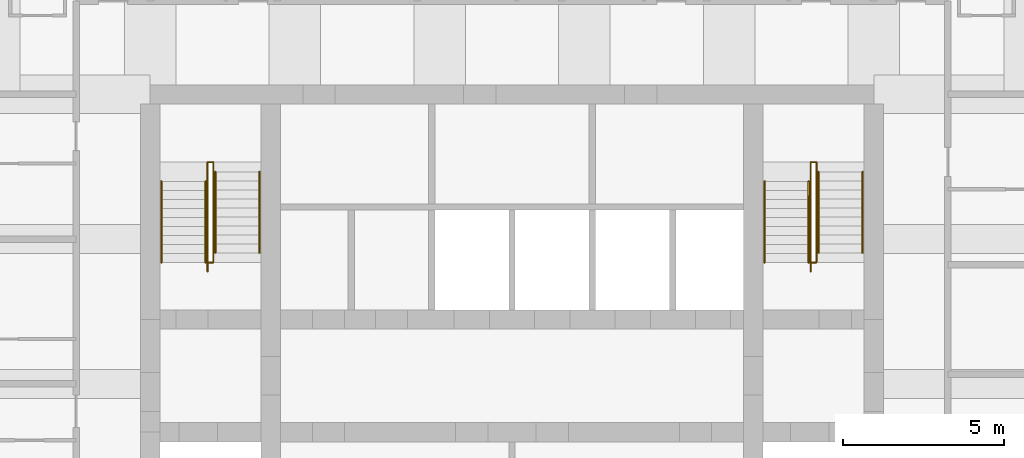
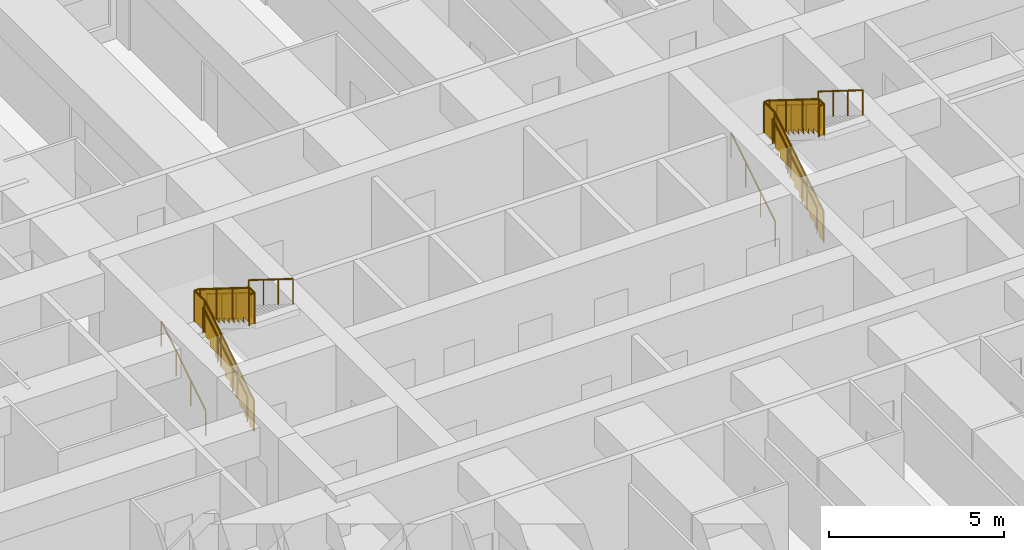
# One storey, part 8 of 8: 12 railings.
"""IFC4 building model written with IfcOpenShell, lengths in metres."""

from ifc_helpers import new_model, si_unit, direction, frame, origin, origin_2d, place, context, subcontext, project, spatial, polyline, circle, outline, extrude, material, type_object, element, save


model = new_model("IFC4")

# Units and contexts
model_context = context("Model", 3, precision=1e-05, world=origin(), true_north=direction((0.0, 1.0)))
body_context = subcontext(model_context, "Body", "Model", "MODEL_VIEW")
ifc_project = project(units=[si_unit("LENGTHUNIT", "METRE"), si_unit("AREAUNIT", "SQUARE_METRE"), si_unit("VOLUMEUNIT", "CUBIC_METRE"), si_unit("PLANEANGLEUNIT", "RADIAN"), si_unit("MASSUNIT", "GRAM", prefix="KILO")], contexts=[model_context])

# Site, building, storey
site_placement = place(None, origin())
site = spatial("IfcSite", under=ifc_project, at=site_placement, CompositionType="ELEMENT")
building_placement = place(site_placement, origin())
building = spatial("IfcBuilding", under=site, at=building_placement, Name="Kilele Tower Hotel", CompositionType="ELEMENT")
storey_placement = place(building_placement, frame((0.0, 0.0, 176.39990234375)))
storey = spatial("IfcBuildingStorey", under=building, at=storey_placement, Name="L45", CompositionType="ELEMENT", Elevation=176.39990234375)

# Railings
ifc_material_1 = material(Name="Steel handrail", Category="steel")
railing_type_1 = type_object("IfcRailingType", Name="Handrail 900", PredefinedType="HANDRAIL", material=ifc_material_1)
for number, where, name in (
    (1, (13.85009765625, 21.77490234375, 0.175048828125), "Handrail ST1 flight 1"),
    (2, (15.22509765625, 21.77490234375, 0.175048828125), "Handrail ST1 flight 1"),
):
    element("IfcRailing", number, at=place(storey_placement, frame(where)), inside=storey, type_object=railing_type_1, Name=name, PredefinedType="HANDRAIL", context=body_context, shape_type="SweptSolid", body=[
        extrude(circle(Radius=0.02490234375, at=origin_2d()), frame((0.0, 0.0, 0.875), z_axis=(0.0, 0.848007534815, 0.529984170421), x_axis=(-1.0, 0.0, 0.0)), (0.0, 0.0, 1.0), 2.9716796875),
        extrude(circle(Radius=0.02001953125, at=origin_2d()), origin(), (0.0, 0.0, 1.0), 0.849853515625),
        extrude(circle(Radius=0.02001953125, at=origin_2d()), frame((0.0, 0.840087890625, 0.52490234375)), (0.0, 0.0, 1.0), 0.849853515625),
        extrude(circle(Radius=0.02001953125, at=origin_2d()), frame((0.0, 1.679931640625, 1.050048828125)), (0.0, 0.0, 1.0), 0.849853515625),
        extrude(circle(Radius=0.02001953125, at=origin_2d()), frame((0.0, 2.52001953125, 1.574951171875)), (0.0, 0.0, 1.0), 0.849853515625),
    ])
for number, where, name in (
    (3, (15.52490234375, 24.594970703125, 1.925048828125), "Handrail ST1 flight 2"),
    (4, (16.89990234375, 24.594970703125, 1.925048828125), "Handrail ST1 flight 2"),
):
    element("IfcRailing", number, at=place(storey_placement, frame(where)), inside=storey, type_object=railing_type_1, Name=name, PredefinedType="HANDRAIL", context=body_context, shape_type="SweptSolid", body=[
        extrude(circle(Radius=0.02490234375, at=origin_2d()), frame((0.0, 0.0, 0.875), z_axis=(0.0, -0.848007534815, 0.529984170421), x_axis=(1.0, 0.0, 0.0)), (0.0, 0.0, 1.0), 2.9716796875),
        extrude(circle(Radius=0.02001953125, at=origin_2d()), origin(), (0.0, 0.0, 1.0), 0.849853515625),
        extrude(circle(Radius=0.02001953125, at=origin_2d()), frame((0.0, -0.840087890625, 0.52490234375)), (0.0, 0.0, 1.0), 0.849853515625),
        extrude(circle(Radius=0.02001953125, at=origin_2d()), frame((0.0, -1.679931640625, 1.050048828125)), (0.0, 0.0, 1.0), 0.849853515625),
        extrude(circle(Radius=0.02001953125, at=origin_2d()), frame((0.0, -2.52001953125, 1.574951171875)), (0.0, 0.0, 1.0), 0.849853515625),
    ])
for number, where, name in (
    (5, (32.60009765625, 21.77490234375, 0.175048828125), "Handrail ST2 flight 1"),
    (6, (33.97509765625, 21.77490234375, 0.175048828125), "Handrail ST2 flight 1"),
):
    element("IfcRailing", number, at=place(storey_placement, frame(where)), inside=storey, type_object=railing_type_1, Name=name, PredefinedType="HANDRAIL", context=body_context, shape_type="SweptSolid", body=[
        extrude(circle(Radius=0.02490234375, at=origin_2d()), frame((0.0, 0.0, 0.875), z_axis=(0.0, 0.848007534815, 0.529984170421), x_axis=(-1.0, 0.0, 0.0)), (0.0, 0.0, 1.0), 2.9716796875),
        extrude(circle(Radius=0.02001953125, at=origin_2d()), origin(), (0.0, 0.0, 1.0), 0.849853515625),
        extrude(circle(Radius=0.02001953125, at=origin_2d()), frame((0.0, 0.840087890625, 0.52490234375)), (0.0, 0.0, 1.0), 0.849853515625),
        extrude(circle(Radius=0.02001953125, at=origin_2d()), frame((0.0, 1.679931640625, 1.050048828125)), (0.0, 0.0, 1.0), 0.849853515625),
        extrude(circle(Radius=0.02001953125, at=origin_2d()), frame((0.0, 2.52001953125, 1.574951171875)), (0.0, 0.0, 1.0), 0.849853515625),
    ])
for number, where, name in (
    (7, (34.27490234375, 24.594970703125, 1.925048828125), "Handrail ST2 flight 2"),
    (8, (35.64990234375, 24.594970703125, 1.925048828125), "Handrail ST2 flight 2"),
):
    element("IfcRailing", number, at=place(storey_placement, frame(where)), inside=storey, type_object=railing_type_1, Name=name, PredefinedType="HANDRAIL", context=body_context, shape_type="SweptSolid", body=[
        extrude(circle(Radius=0.02490234375, at=origin_2d()), frame((0.0, 0.0, 0.875), z_axis=(0.0, -0.848007534815, 0.529984170421), x_axis=(1.0, 0.0, 0.0)), (0.0, 0.0, 1.0), 2.9716796875),
        extrude(circle(Radius=0.02001953125, at=origin_2d()), origin(), (0.0, 0.0, 1.0), 0.849853515625),
        extrude(circle(Radius=0.02001953125, at=origin_2d()), frame((0.0, -0.840087890625, 0.52490234375)), (0.0, 0.0, 1.0), 0.849853515625),
        extrude(circle(Radius=0.02001953125, at=origin_2d()), frame((0.0, -1.679931640625, 1.050048828125)), (0.0, 0.0, 1.0), 0.849853515625),
        extrude(circle(Radius=0.02001953125, at=origin_2d()), frame((0.0, -2.52001953125, 1.574951171875)), (0.0, 0.0, 1.0), 0.849853515625),
    ])
ifc_material_2 = material(Name="Steel guard", Category="steel")
railing_type_2 = type_object("IfcRailingType", Name="Stair guard 1100", PredefinedType="GUARDRAIL", material=ifc_material_2)
railing_1_placement = place(storey_placement, frame((15.284912109375, 21.4951171875, 0.0)))
element("IfcRailing", 9, at=railing_1_placement, inside=storey, type_object=railing_type_2, Name="Stair well guard ST1 flight 1", PredefinedType="GUARDRAIL", context=body_context, shape_type="SweptSolid", body=[
    extrude(circle(Radius=0.02490234375, at=origin_2d()), frame((0.0, 0.0, 1.0751953125), z_axis=(0.0, 0.847981687118, 0.530025526095), x_axis=(-1.0, 0.0, 0.0)), (0.0, 0.0, 1.0), 3.3017578125),
    extrude(circle(Radius=0.02490234375, at=origin_2d()), frame((0.0, 2.7998046875, 2.8251953125), z_axis=(0.0, 1.0, 0.0), x_axis=(-1.0, 0.0, 0.0)), (0.0, 0.0, 1.0), 0.60009765625),
    extrude(circle(Radius=0.02490234375, at=origin_2d()), frame((0.0, 3.39990234375, 2.8251953125), z_axis=(1.0, 0.0, 0.0), x_axis=(0.0, 1.0, 0.0)), (0.0, 0.0, 1.0), 0.18017578125),
    extrude(circle(Radius=0.02490234375, at=origin_2d()), origin(), (0.0, 0.0, 1.0), 1.050048828125),
    extrude(circle(Radius=0.02490234375, at=origin_2d()), frame((0.0, 0.933349609375, 0.583251953125)), (0.0, 0.0, 1.0), 1.050048828125),
    extrude(circle(Radius=0.02490234375, at=origin_2d()), frame((0.0, 1.866455078125, 1.166748046875)), (0.0, 0.0, 1.0), 1.050048828125),
    extrude(circle(Radius=0.02490234375, at=origin_2d()), frame((0.0, 2.7998046875, 1.75)), (0.0, 0.0, 1.0), 1.050048828125),
    extrude(circle(Radius=0.02490234375, at=origin_2d()), frame((0.0, 3.39990234375, 1.75)), (0.0, 0.0, 1.0), 1.050048828125),
    extrude(circle(Radius=0.02490234375, at=origin_2d()), frame((0.18017578125, 3.39990234375, 1.75)), (0.0, 0.0, 1.0), 1.050048828125),
    extrude(outline(polyline([(0.012451171875, 0.030029296875), (0.25, 0.030029296875), (0.25, 0.205078125), (0.530029296875, 0.205078125), (0.530029296875, 0.380126953125), (0.809814453125, 0.380126953125), (0.809814453125, 0.554931640625), (1.08984375, 0.554931640625), (1.08984375, 0.72998046875), (1.369873046875, 0.72998046875), (1.369873046875, 0.905029296875), (1.64990234375, 0.905029296875), (1.64990234375, 1.080078125), (1.929931640625, 1.080078125), (1.929931640625, 1.255126953125), (2.209716796875, 1.255126953125), (2.209716796875, 1.429931640625), (2.48974609375, 1.429931640625), (2.48974609375, 1.60498046875), (2.769775390625, 1.60498046875), (2.769775390625, 1.780029296875), (2.787353515625, 1.780029296875), (2.787353515625, 2.787841796875), (0.012451171875, 1.053466796875), (0.012451171875, 0.030029296875)])), frame((-0.005859375, 0.0, 0.0), z_axis=(1.0, 0.0, 0.0), x_axis=(0.0, 1.0, 0.0)), (0.0, 0.0, 1.0), 0.011962890625),
    extrude(outline(polyline([(0.012451171875, 0.030029296875), (0.587646484375, 0.030029296875), (0.587646484375, 1.050048828125), (0.012451171875, 1.050048828125), (0.012451171875, 0.030029296875)])), frame((-0.005859375, 2.7998046875, 1.75), z_axis=(1.0, 0.0, 0.0), x_axis=(0.0, 1.0, 0.0)), (0.0, 0.0, 1.0), 0.011962890625),
    extrude(outline(polyline([(0.012451171875, 0.030029296875), (0.18017578125, 0.030029296875), (0.18017578125, 1.050048828125), (0.012451171875, 1.050048828125), (0.012451171875, 0.030029296875)])), frame((0.0, 3.40576171875, 1.75), z_axis=(0.0, -1.0, 0.0), x_axis=(1.0, 0.0, 0.0)), (0.0, 0.0, 1.0), 0.011962890625),
])
railing_2_placement = place(storey_placement, frame((15.465087890625, 24.89501953125, 1.75)))
element("IfcRailing", 10, at=railing_2_placement, inside=storey, type_object=railing_type_2, Name="Stair well guard ST1 flight 2", PredefinedType="GUARDRAIL", context=body_context, shape_type="SweptSolid", body=[
    extrude(circle(Radius=0.02490234375, at=origin_2d()), frame((0.0, 0.0, 1.0751953125), z_axis=(0.0, -1.0, 0.0), x_axis=(1.0, 0.0, 0.0)), (0.0, 0.0, 1.0), 0.02001953125),
    extrude(circle(Radius=0.02490234375, at=origin_2d()), frame((0.0, -0.02001953125, 1.0751953125), z_axis=(0.0, -0.848002457836, 0.529992293815), x_axis=(1.0, 0.0, 0.0)), (0.0, 0.0, 1.0), 3.302001953125),
    extrude(circle(Radius=0.02490234375, at=origin_2d()), frame((0.0, -2.820068359375, 2.8251953125), z_axis=(0.0, -1.0, 0.0), x_axis=(1.0, 0.0, 0.0)), (0.0, 0.0, 1.0), 0.300048828125),
    extrude(circle(Radius=0.02490234375, at=origin_2d()), frame((0.0, -3.1201171875, 2.8251953125), z_axis=(-1.0, 0.0, 0.0), x_axis=(0.0, -1.0, 0.0)), (0.0, 0.0, 1.0), 0.18017578125),
    extrude(circle(Radius=0.02490234375, at=origin_2d()), origin(), (0.0, 0.0, 1.0), 1.050048828125),
    extrude(circle(Radius=0.02490234375, at=origin_2d()), frame((0.0, -0.02001953125, 0.0)), (0.0, 0.0, 1.0), 1.050048828125),
    extrude(circle(Radius=0.02490234375, at=origin_2d()), frame((0.0, -0.953369140625, 0.583251953125)), (0.0, 0.0, 1.0), 1.050048828125),
    extrude(circle(Radius=0.02490234375, at=origin_2d()), frame((0.0, -1.88671875, 1.166748046875)), (0.0, 0.0, 1.0), 1.050048828125),
    extrude(circle(Radius=0.02490234375, at=origin_2d()), frame((0.0, -2.820068359375, 1.75)), (0.0, 0.0, 1.0), 1.050048828125),
    extrude(circle(Radius=0.02490234375, at=origin_2d()), frame((0.0, -3.1201171875, 1.75)), (0.0, 0.0, 1.0), 1.050048828125),
    extrude(circle(Radius=0.02490234375, at=origin_2d()), frame((-0.18017578125, -3.1201171875, 1.75)), (0.0, 0.0, 1.0), 1.050048828125),
    extrude(outline(polyline([(0.012451171875, 0.030029296875), (0.25, 0.030029296875), (0.25, 0.205078125), (0.530029296875, 0.205078125), (0.530029296875, 0.380126953125), (0.81005859375, 0.380126953125), (0.81005859375, 0.554931640625), (1.090087890625, 0.554931640625), (1.090087890625, 0.72998046875), (1.3701171875, 0.72998046875), (1.3701171875, 0.905029296875), (1.64990234375, 0.905029296875), (1.64990234375, 1.080078125), (1.929931640625, 1.080078125), (1.929931640625, 1.255126953125), (2.2099609375, 1.255126953125), (2.2099609375, 1.429931640625), (2.489990234375, 1.429931640625), (2.489990234375, 1.60498046875), (2.77001953125, 1.60498046875), (2.77001953125, 1.780029296875), (2.78759765625, 1.780029296875), (2.78759765625, 2.787841796875), (0.012451171875, 1.053466796875), (0.012451171875, 0.030029296875)])), frame((0.005859375, -0.02001953125, 0.0), z_axis=(-1.0, 0.0, 0.0), x_axis=(0.0, -1.0, 0.0)), (0.0, 0.0, 1.0), 0.011962890625),
    extrude(outline(polyline([(0.012451171875, 0.030029296875), (0.28759765625, 0.030029296875), (0.28759765625, 1.050048828125), (0.012451171875, 1.050048828125), (0.012451171875, 0.030029296875)])), frame((0.005859375, -2.820068359375, 1.75), z_axis=(-1.0, 0.0, 0.0), x_axis=(0.0, -1.0, 0.0)), (0.0, 0.0, 1.0), 0.011962890625),
    extrude(outline(polyline([(0.012451171875, 0.030029296875), (0.18017578125, 0.030029296875), (0.18017578125, 1.050048828125), (0.012451171875, 1.050048828125), (0.012451171875, 0.030029296875)])), frame((0.0, -3.1259765625, 1.75), z_axis=(0.0, 1.0, 0.0), x_axis=(-1.0, 0.0, 0.0)), (0.0, 0.0, 1.0), 0.011962890625),
])
railing_3_placement = place(storey_placement, frame((34.034912109375, 21.4951171875, 0.0)))
element("IfcRailing", 11, at=railing_3_placement, inside=storey, type_object=railing_type_2, Name="Stair well guard ST2 flight 1", PredefinedType="GUARDRAIL", context=body_context, shape_type="SweptSolid", body=[
    extrude(circle(Radius=0.02490234375, at=origin_2d()), frame((0.0, 0.0, 1.0751953125), z_axis=(0.0, 0.847981687118, 0.530025526095), x_axis=(-1.0, 0.0, 0.0)), (0.0, 0.0, 1.0), 3.3017578125),
    extrude(circle(Radius=0.02490234375, at=origin_2d()), frame((0.0, 2.7998046875, 2.8251953125), z_axis=(0.0, 1.0, 0.0), x_axis=(-1.0, 0.0, 0.0)), (0.0, 0.0, 1.0), 0.60009765625),
    extrude(circle(Radius=0.02490234375, at=origin_2d()), frame((0.0, 3.39990234375, 2.8251953125), z_axis=(1.0, 0.0, 0.0), x_axis=(0.0, 1.0, 0.0)), (0.0, 0.0, 1.0), 0.18017578125),
    extrude(circle(Radius=0.02490234375, at=origin_2d()), origin(), (0.0, 0.0, 1.0), 1.050048828125),
    extrude(circle(Radius=0.02490234375, at=origin_2d()), frame((0.0, 0.933349609375, 0.583251953125)), (0.0, 0.0, 1.0), 1.050048828125),
    extrude(circle(Radius=0.02490234375, at=origin_2d()), frame((0.0, 1.866455078125, 1.166748046875)), (0.0, 0.0, 1.0), 1.050048828125),
    extrude(circle(Radius=0.02490234375, at=origin_2d()), frame((0.0, 2.7998046875, 1.75)), (0.0, 0.0, 1.0), 1.050048828125),
    extrude(circle(Radius=0.02490234375, at=origin_2d()), frame((0.0, 3.39990234375, 1.75)), (0.0, 0.0, 1.0), 1.050048828125),
    extrude(circle(Radius=0.02490234375, at=origin_2d()), frame((0.18017578125, 3.39990234375, 1.75)), (0.0, 0.0, 1.0), 1.050048828125),
    extrude(outline(polyline([(0.012451171875, 0.030029296875), (0.25, 0.030029296875), (0.25, 0.205078125), (0.530029296875, 0.205078125), (0.530029296875, 0.380126953125), (0.809814453125, 0.380126953125), (0.809814453125, 0.554931640625), (1.08984375, 0.554931640625), (1.08984375, 0.72998046875), (1.369873046875, 0.72998046875), (1.369873046875, 0.905029296875), (1.64990234375, 0.905029296875), (1.64990234375, 1.080078125), (1.929931640625, 1.080078125), (1.929931640625, 1.255126953125), (2.209716796875, 1.255126953125), (2.209716796875, 1.429931640625), (2.48974609375, 1.429931640625), (2.48974609375, 1.60498046875), (2.769775390625, 1.60498046875), (2.769775390625, 1.780029296875), (2.787353515625, 1.780029296875), (2.787353515625, 2.787841796875), (0.012451171875, 1.053466796875), (0.012451171875, 0.030029296875)])), frame((-0.005859375, 0.0, 0.0), z_axis=(1.0, 0.0, 0.0), x_axis=(0.0, 1.0, 0.0)), (0.0, 0.0, 1.0), 0.011962890625),
    extrude(outline(polyline([(0.012451171875, 0.030029296875), (0.587646484375, 0.030029296875), (0.587646484375, 1.050048828125), (0.012451171875, 1.050048828125), (0.012451171875, 0.030029296875)])), frame((-0.005859375, 2.7998046875, 1.75), z_axis=(1.0, 0.0, 0.0), x_axis=(0.0, 1.0, 0.0)), (0.0, 0.0, 1.0), 0.011962890625),
    extrude(outline(polyline([(0.012451171875, 0.030029296875), (0.18017578125, 0.030029296875), (0.18017578125, 1.050048828125), (0.012451171875, 1.050048828125), (0.012451171875, 0.030029296875)])), frame((0.0, 3.40576171875, 1.75), z_axis=(0.0, -1.0, 0.0), x_axis=(1.0, 0.0, 0.0)), (0.0, 0.0, 1.0), 0.011962890625),
])
railing_4_placement = place(storey_placement, frame((34.215087890625, 24.89501953125, 1.75)))
element("IfcRailing", 12, at=railing_4_placement, inside=storey, type_object=railing_type_2, Name="Stair well guard ST2 flight 2", PredefinedType="GUARDRAIL", context=body_context, shape_type="SweptSolid", body=[
    extrude(circle(Radius=0.02490234375, at=origin_2d()), frame((0.0, 0.0, 1.0751953125), z_axis=(0.0, -1.0, 0.0), x_axis=(1.0, 0.0, 0.0)), (0.0, 0.0, 1.0), 0.02001953125),
    extrude(circle(Radius=0.02490234375, at=origin_2d()), frame((0.0, -0.02001953125, 1.0751953125), z_axis=(0.0, -0.848002457836, 0.529992293815), x_axis=(1.0, 0.0, 0.0)), (0.0, 0.0, 1.0), 3.302001953125),
    extrude(circle(Radius=0.02490234375, at=origin_2d()), frame((0.0, -2.820068359375, 2.8251953125), z_axis=(0.0, -1.0, 0.0), x_axis=(1.0, 0.0, 0.0)), (0.0, 0.0, 1.0), 0.300048828125),
    extrude(circle(Radius=0.02490234375, at=origin_2d()), frame((0.0, -3.1201171875, 2.8251953125), z_axis=(-1.0, 0.0, 0.0), x_axis=(0.0, -1.0, 0.0)), (0.0, 0.0, 1.0), 0.18017578125),
    extrude(circle(Radius=0.02490234375, at=origin_2d()), origin(), (0.0, 0.0, 1.0), 1.050048828125),
    extrude(circle(Radius=0.02490234375, at=origin_2d()), frame((0.0, -0.02001953125, 0.0)), (0.0, 0.0, 1.0), 1.050048828125),
    extrude(circle(Radius=0.02490234375, at=origin_2d()), frame((0.0, -0.953369140625, 0.583251953125)), (0.0, 0.0, 1.0), 1.050048828125),
    extrude(circle(Radius=0.02490234375, at=origin_2d()), frame((0.0, -1.88671875, 1.166748046875)), (0.0, 0.0, 1.0), 1.050048828125),
    extrude(circle(Radius=0.02490234375, at=origin_2d()), frame((0.0, -2.820068359375, 1.75)), (0.0, 0.0, 1.0), 1.050048828125),
    extrude(circle(Radius=0.02490234375, at=origin_2d()), frame((0.0, -3.1201171875, 1.75)), (0.0, 0.0, 1.0), 1.050048828125),
    extrude(circle(Radius=0.02490234375, at=origin_2d()), frame((-0.18017578125, -3.1201171875, 1.75)), (0.0, 0.0, 1.0), 1.050048828125),
    extrude(outline(polyline([(0.012451171875, 0.030029296875), (0.25, 0.030029296875), (0.25, 0.205078125), (0.530029296875, 0.205078125), (0.530029296875, 0.380126953125), (0.81005859375, 0.380126953125), (0.81005859375, 0.554931640625), (1.090087890625, 0.554931640625), (1.090087890625, 0.72998046875), (1.3701171875, 0.72998046875), (1.3701171875, 0.905029296875), (1.64990234375, 0.905029296875), (1.64990234375, 1.080078125), (1.929931640625, 1.080078125), (1.929931640625, 1.255126953125), (2.2099609375, 1.255126953125), (2.2099609375, 1.429931640625), (2.489990234375, 1.429931640625), (2.489990234375, 1.60498046875), (2.77001953125, 1.60498046875), (2.77001953125, 1.780029296875), (2.78759765625, 1.780029296875), (2.78759765625, 2.787841796875), (0.012451171875, 1.053466796875), (0.012451171875, 0.030029296875)])), frame((0.005859375, -0.02001953125, 0.0), z_axis=(-1.0, 0.0, 0.0), x_axis=(0.0, -1.0, 0.0)), (0.0, 0.0, 1.0), 0.011962890625),
    extrude(outline(polyline([(0.012451171875, 0.030029296875), (0.28759765625, 0.030029296875), (0.28759765625, 1.050048828125), (0.012451171875, 1.050048828125), (0.012451171875, 0.030029296875)])), frame((0.005859375, -2.820068359375, 1.75), z_axis=(-1.0, 0.0, 0.0), x_axis=(0.0, -1.0, 0.0)), (0.0, 0.0, 1.0), 0.011962890625),
    extrude(outline(polyline([(0.012451171875, 0.030029296875), (0.18017578125, 0.030029296875), (0.18017578125, 1.050048828125), (0.012451171875, 1.050048828125), (0.012451171875, 0.030029296875)])), frame((0.0, -3.1259765625, 1.75), z_axis=(0.0, 1.0, 0.0), x_axis=(-1.0, 0.0, 0.0)), (0.0, 0.0, 1.0), 0.011962890625),
])

save(model, "model.ifc")
